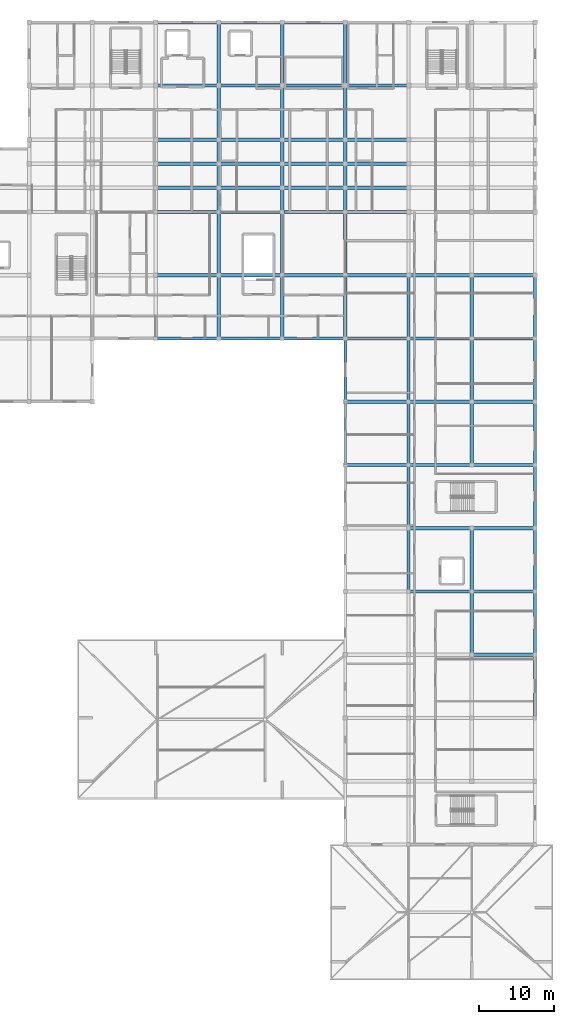
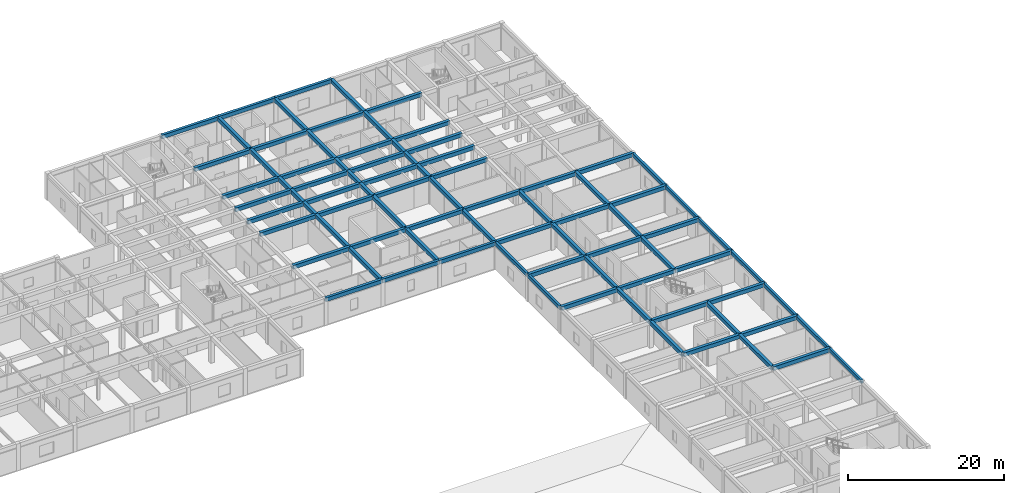
# One storey, part 10 of 42: 86 beams.
"""IFC4 building model written with IfcOpenShell, lengths in metres."""

from ifc_helpers import new_model, si_unit, direction, frame, origin, origin_2d, place, context, subcontext, project, spatial, rectangle, extrude, material, material_profile, profile_set, type_object, element, save


model = new_model("IFC4")

# Units and contexts
model_context = context("Model", 3, precision=1e-05, world=origin(), true_north=direction((0.0, 1.0)))
body_context = subcontext(model_context, "Body", "Model", "MODEL_VIEW")
ifc_project = project(units=[si_unit("LENGTHUNIT", "METRE"), si_unit("AREAUNIT", "SQUARE_METRE"), si_unit("VOLUMEUNIT", "CUBIC_METRE"), si_unit("PLANEANGLEUNIT", "RADIAN"), si_unit("MASSUNIT", "GRAM", prefix="KILO")], contexts=[model_context])

# Site, building, storey
site_placement = place(None, origin())
site = spatial("IfcSite", under=ifc_project, at=site_placement, CompositionType="ELEMENT")
building_placement = place(site_placement, origin())
building = spatial("IfcBuilding", under=site, at=building_placement, Name="Varncliffe General Hospital", CompositionType="ELEMENT")
storey_placement = place(building_placement, frame((0.0, 0.0, 20.39990234375)))
storey = spatial("IfcBuildingStorey", under=building, at=storey_placement, Name="L04", CompositionType="ELEMENT", Elevation=20.39990234375)

# Beams
ifc_material = material(Name="Concrete C35/45 (CSA A23.1 35 MPa)", Category="concrete")
ifc_material_profile_1 = material_profile(ifc_material, rectangle(XDim=0.449951171875, YDim=0.60009765625, at=origin_2d()), Name="RC 450x600")
ifc_profile_set_1 = profile_set([ifc_material_profile_1], Name="Concrete C35/45 (CSA A23.1 35 MPa)")
beam_type_1 = type_object("IfcBeamType", Name="Beam B47 (Int RC 450x600)", PredefinedType="BEAM", material=ifc_profile_set_1)
for number, where, z_axis, x_axis, name in (
    (1, (168.0, 40.800048828125, 3.900146484375), (1.0, 0.0, 0.0), (0.0, 1.0, 0.0), "L04 Primary Beam B47-12"),
    (2, (159.60009765625, 49.199951171875, 3.900146484375), (1.0, 0.0, 0.0), (0.0, 1.0, 0.0), "L04 Primary Beam B47-14"),
    (3, (168.0, 49.199951171875, 3.900146484375), (1.0, 0.0, 0.0), (0.0, 1.0, 0.0), "L04 Primary Beam B47-15"),
    (4, (159.60009765625, 57.60009765625, 3.900146484375), (1.0, 0.0, 0.0), (0.0, 1.0, 0.0), "L04 Primary Beam B47-17"),
    (5, (168.0, 57.60009765625, 3.900146484375), (1.0, 0.0, 0.0), (0.0, 1.0, 0.0), "L04 Primary Beam B47-18"),
):
    element("IfcBeam", number, at=place(storey_placement, frame(where, z_axis=z_axis, x_axis=x_axis)), inside=storey, type_object=beam_type_1, Name=name, PredefinedType="BEAM", context=body_context, shape_type="SweptSolid", body=[
        extrude(rectangle(XDim=0.449951171875, YDim=0.60009765625, at=origin_2d()), origin(), (0.0, 0.0, 1.0), 8.39990234375),
    ])
beam_1_placement = place(storey_placement, frame((151.199951171875, 66.0, 3.900146484375), z_axis=(1.0, 0.0, 0.0), x_axis=(0.0, 1.0, 0.0)))
element("IfcBeam", 6, at=beam_1_placement, inside=storey, type_object=beam_type_1, Name="L04 Primary Beam B47-19", PredefinedType="BEAM", context=body_context, shape_type="SweptSolid", body=[
    extrude(rectangle(XDim=0.449951171875, YDim=0.60009765625, at=origin_2d()), origin(), (0.0, 0.0, 1.0), 8.400146484375),
])
for number, where, z_axis, x_axis, name in (
    (7, (159.60009765625, 66.0, 3.900146484375), (1.0, 0.0, 0.0), (0.0, 1.0, 0.0), "L04 Primary Beam B47-20"),
    (8, (168.0, 66.0, 3.900146484375), (1.0, 0.0, 0.0), (0.0, 1.0, 0.0), "L04 Primary Beam B47-21"),
):
    element("IfcBeam", number, at=place(storey_placement, frame(where, z_axis=z_axis, x_axis=x_axis)), inside=storey, type_object=beam_type_1, Name=name, PredefinedType="BEAM", context=body_context, shape_type="SweptSolid", body=[
        extrude(rectangle(XDim=0.449951171875, YDim=0.60009765625, at=origin_2d()), origin(), (0.0, 0.0, 1.0), 8.39990234375),
    ])
beam_2_placement = place(storey_placement, frame((151.199951171875, 74.39990234375, 3.900146484375), z_axis=(1.0, 0.0, 0.0), x_axis=(0.0, 1.0, 0.0)))
element("IfcBeam", 9, at=beam_2_placement, inside=storey, type_object=beam_type_1, Name="L04 Primary Beam B47-29", PredefinedType="BEAM", context=body_context, shape_type="SweptSolid", body=[
    extrude(rectangle(XDim=0.449951171875, YDim=0.60009765625, at=origin_2d()), origin(), (0.0, 0.0, 1.0), 8.400146484375),
])
for number, where, z_axis, x_axis, name in (
    (10, (159.60009765625, 74.39990234375, 3.900146484375), (1.0, 0.0, 0.0), (0.0, 1.0, 0.0), "L04 Primary Beam B47-30"),
    (11, (168.0, 74.39990234375, 3.900146484375), (1.0, 0.0, 0.0), (0.0, 1.0, 0.0), "L04 Primary Beam B47-31"),
):
    element("IfcBeam", number, at=place(storey_placement, frame(where, z_axis=z_axis, x_axis=x_axis)), inside=storey, type_object=beam_type_1, Name=name, PredefinedType="BEAM", context=body_context, shape_type="SweptSolid", body=[
        extrude(rectangle(XDim=0.449951171875, YDim=0.60009765625, at=origin_2d()), origin(), (0.0, 0.0, 1.0), 8.39990234375),
    ])
beam_3_placement = place(storey_placement, frame((151.199951171875, 82.800048828125, 3.900146484375), z_axis=(1.0, 0.0, 0.0), x_axis=(0.0, 1.0, 0.0)))
element("IfcBeam", 12, at=beam_3_placement, inside=storey, type_object=beam_type_1, Name="L04 Primary Beam B47-46", PredefinedType="BEAM", context=body_context, shape_type="SweptSolid", body=[
    extrude(rectangle(XDim=0.449951171875, YDim=0.60009765625, at=origin_2d()), origin(), (0.0, 0.0, 1.0), 8.400146484375),
])
for number, where, z_axis, x_axis, name in (
    (13, (159.60009765625, 82.800048828125, 3.900146484375), (1.0, 0.0, 0.0), (0.0, 1.0, 0.0), "L04 Primary Beam B47-47"),
    (14, (168.0, 82.800048828125, 3.900146484375), (1.0, 0.0, 0.0), (0.0, 1.0, 0.0), "L04 Primary Beam B47-48"),
    (15, (126.0, 91.199951171875, 3.900146484375), (1.0, 0.0, 0.0), (0.0, 1.0, 0.0), "L04 Primary Beam B47-59"),
):
    element("IfcBeam", number, at=place(storey_placement, frame(where, z_axis=z_axis, x_axis=x_axis)), inside=storey, type_object=beam_type_1, Name=name, PredefinedType="BEAM", context=body_context, shape_type="SweptSolid", body=[
        extrude(rectangle(XDim=0.449951171875, YDim=0.60009765625, at=origin_2d()), origin(), (0.0, 0.0, 1.0), 8.39990234375),
    ])
beam_4_placement = place(storey_placement, frame((134.39990234375, 91.199951171875, 3.900146484375), z_axis=(1.0, 0.0, 0.0), x_axis=(0.0, 1.0, 0.0)))
element("IfcBeam", 16, at=beam_4_placement, inside=storey, type_object=beam_type_1, Name="L04 Primary Beam B47-60", PredefinedType="BEAM", context=body_context, shape_type="SweptSolid", body=[
    extrude(rectangle(XDim=0.449951171875, YDim=0.60009765625, at=origin_2d()), origin(), (0.0, 0.0, 1.0), 8.400146484375),
])
beam_5_placement = place(storey_placement, frame((142.800048828125, 91.199951171875, 3.900146484375), z_axis=(1.0, 0.0, 0.0), x_axis=(0.0, 1.0, 0.0)))
element("IfcBeam", 17, at=beam_5_placement, inside=storey, type_object=beam_type_1, Name="L04 Primary Beam B47-61", PredefinedType="BEAM", context=body_context, shape_type="SweptSolid", body=[
    extrude(rectangle(XDim=0.449951171875, YDim=0.60009765625, at=origin_2d()), origin(), (0.0, 0.0, 1.0), 8.39990234375),
])
beam_6_placement = place(storey_placement, frame((151.199951171875, 91.199951171875, 3.900146484375), z_axis=(1.0, 0.0, 0.0), x_axis=(0.0, 1.0, 0.0)))
element("IfcBeam", 18, at=beam_6_placement, inside=storey, type_object=beam_type_1, Name="L04 Primary Beam B47-62", PredefinedType="BEAM", context=body_context, shape_type="SweptSolid", body=[
    extrude(rectangle(XDim=0.449951171875, YDim=0.60009765625, at=origin_2d()), origin(), (0.0, 0.0, 1.0), 8.400146484375),
])
for number, where, z_axis, x_axis, name in (
    (19, (159.60009765625, 91.199951171875, 3.900146484375), (1.0, 0.0, 0.0), (0.0, 1.0, 0.0), "L04 Primary Beam B47-63"),
    (20, (168.0, 91.199951171875, 3.900146484375), (1.0, 0.0, 0.0), (0.0, 1.0, 0.0), "L04 Primary Beam B47-64"),
    (21, (126.0, 99.60009765625, 3.900146484375), (1.0, 0.0, 0.0), (0.0, 1.0, 0.0), "L04 Primary Beam B47-80"),
):
    element("IfcBeam", number, at=place(storey_placement, frame(where, z_axis=z_axis, x_axis=x_axis)), inside=storey, type_object=beam_type_1, Name=name, PredefinedType="BEAM", context=body_context, shape_type="SweptSolid", body=[
        extrude(rectangle(XDim=0.449951171875, YDim=0.60009765625, at=origin_2d()), origin(), (0.0, 0.0, 1.0), 8.39990234375),
    ])
beam_7_placement = place(storey_placement, frame((134.39990234375, 99.60009765625, 3.900146484375), z_axis=(1.0, 0.0, 0.0), x_axis=(0.0, 1.0, 0.0)))
element("IfcBeam", 22, at=beam_7_placement, inside=storey, type_object=beam_type_1, Name="L04 Primary Beam B47-81", PredefinedType="BEAM", context=body_context, shape_type="SweptSolid", body=[
    extrude(rectangle(XDim=0.449951171875, YDim=0.60009765625, at=origin_2d()), origin(), (0.0, 0.0, 1.0), 8.400146484375),
])
beam_8_placement = place(storey_placement, frame((142.800048828125, 99.60009765625, 3.900146484375), z_axis=(1.0, 0.0, 0.0), x_axis=(0.0, 1.0, 0.0)))
element("IfcBeam", 23, at=beam_8_placement, inside=storey, type_object=beam_type_1, Name="L04 Primary Beam B47-82", PredefinedType="BEAM", context=body_context, shape_type="SweptSolid", body=[
    extrude(rectangle(XDim=0.449951171875, YDim=0.60009765625, at=origin_2d()), origin(), (0.0, 0.0, 1.0), 8.39990234375),
])
beam_9_placement = place(storey_placement, frame((151.199951171875, 99.60009765625, 3.900146484375), z_axis=(1.0, 0.0, 0.0), x_axis=(0.0, 1.0, 0.0)))
element("IfcBeam", 24, at=beam_9_placement, inside=storey, type_object=beam_type_1, Name="L04 Primary Beam B47-83", PredefinedType="BEAM", context=body_context, shape_type="SweptSolid", body=[
    extrude(rectangle(XDim=0.449951171875, YDim=0.60009765625, at=origin_2d()), origin(), (0.0, 0.0, 1.0), 8.400146484375),
])
beam_10_placement = place(storey_placement, frame((126.0, 102.800048828125, 3.900146484375), z_axis=(1.0, 0.0, 0.0), x_axis=(0.0, 1.0, 0.0)))
element("IfcBeam", 25, at=beam_10_placement, inside=storey, type_object=beam_type_1, Name="L04 Primary Beam B47-101", PredefinedType="BEAM", context=body_context, shape_type="SweptSolid", body=[
    extrude(rectangle(XDim=0.449951171875, YDim=0.60009765625, at=origin_2d()), origin(), (0.0, 0.0, 1.0), 8.39990234375),
])
beam_11_placement = place(storey_placement, frame((134.39990234375, 102.800048828125, 3.900146484375), z_axis=(1.0, 0.0, 0.0), x_axis=(0.0, 1.0, 0.0)))
element("IfcBeam", 26, at=beam_11_placement, inside=storey, type_object=beam_type_1, Name="L04 Primary Beam B47-102", PredefinedType="BEAM", context=body_context, shape_type="SweptSolid", body=[
    extrude(rectangle(XDim=0.449951171875, YDim=0.60009765625, at=origin_2d()), origin(), (0.0, 0.0, 1.0), 8.400146484375),
])
beam_12_placement = place(storey_placement, frame((142.800048828125, 102.800048828125, 3.900146484375), z_axis=(1.0, 0.0, 0.0), x_axis=(0.0, 1.0, 0.0)))
element("IfcBeam", 27, at=beam_12_placement, inside=storey, type_object=beam_type_1, Name="L04 Primary Beam B47-103", PredefinedType="BEAM", context=body_context, shape_type="SweptSolid", body=[
    extrude(rectangle(XDim=0.449951171875, YDim=0.60009765625, at=origin_2d()), origin(), (0.0, 0.0, 1.0), 8.39990234375),
])
beam_13_placement = place(storey_placement, frame((151.199951171875, 102.800048828125, 3.900146484375), z_axis=(1.0, 0.0, 0.0), x_axis=(0.0, 1.0, 0.0)))
element("IfcBeam", 28, at=beam_13_placement, inside=storey, type_object=beam_type_1, Name="L04 Primary Beam B47-104", PredefinedType="BEAM", context=body_context, shape_type="SweptSolid", body=[
    extrude(rectangle(XDim=0.449951171875, YDim=0.60009765625, at=origin_2d()), origin(), (0.0, 0.0, 1.0), 8.400146484375),
])
beam_14_placement = place(storey_placement, frame((126.0, 106.0, 3.900146484375), z_axis=(1.0, 0.0, 0.0), x_axis=(0.0, 1.0, 0.0)))
element("IfcBeam", 29, at=beam_14_placement, inside=storey, type_object=beam_type_1, Name="L04 Primary Beam B47-117", PredefinedType="BEAM", context=body_context, shape_type="SweptSolid", body=[
    extrude(rectangle(XDim=0.449951171875, YDim=0.60009765625, at=origin_2d()), origin(), (0.0, 0.0, 1.0), 8.39990234375),
])
beam_15_placement = place(storey_placement, frame((134.39990234375, 106.0, 3.900146484375), z_axis=(1.0, 0.0, 0.0), x_axis=(0.0, 1.0, 0.0)))
element("IfcBeam", 30, at=beam_15_placement, inside=storey, type_object=beam_type_1, Name="L04 Primary Beam B47-118", PredefinedType="BEAM", context=body_context, shape_type="SweptSolid", body=[
    extrude(rectangle(XDim=0.449951171875, YDim=0.60009765625, at=origin_2d()), origin(), (0.0, 0.0, 1.0), 8.400146484375),
])
beam_16_placement = place(storey_placement, frame((142.800048828125, 106.0, 3.900146484375), z_axis=(1.0, 0.0, 0.0), x_axis=(0.0, 1.0, 0.0)))
element("IfcBeam", 31, at=beam_16_placement, inside=storey, type_object=beam_type_1, Name="L04 Primary Beam B47-119", PredefinedType="BEAM", context=body_context, shape_type="SweptSolid", body=[
    extrude(rectangle(XDim=0.449951171875, YDim=0.60009765625, at=origin_2d()), origin(), (0.0, 0.0, 1.0), 8.39990234375),
])
beam_17_placement = place(storey_placement, frame((151.199951171875, 106.0, 3.900146484375), z_axis=(1.0, 0.0, 0.0), x_axis=(0.0, 1.0, 0.0)))
element("IfcBeam", 32, at=beam_17_placement, inside=storey, type_object=beam_type_1, Name="L04 Primary Beam B47-120", PredefinedType="BEAM", context=body_context, shape_type="SweptSolid", body=[
    extrude(rectangle(XDim=0.449951171875, YDim=0.60009765625, at=origin_2d()), origin(), (0.0, 0.0, 1.0), 8.400146484375),
])
beam_18_placement = place(storey_placement, frame((126.0, 109.199951171875, 3.900146484375), z_axis=(1.0, 0.0, 0.0), x_axis=(0.0, 1.0, 0.0)))
element("IfcBeam", 33, at=beam_18_placement, inside=storey, type_object=beam_type_1, Name="L04 Primary Beam B47-136", PredefinedType="BEAM", context=body_context, shape_type="SweptSolid", body=[
    extrude(rectangle(XDim=0.449951171875, YDim=0.60009765625, at=origin_2d()), origin(), (0.0, 0.0, 1.0), 8.39990234375),
])
beam_19_placement = place(storey_placement, frame((134.39990234375, 109.199951171875, 3.900146484375), z_axis=(1.0, 0.0, 0.0), x_axis=(0.0, 1.0, 0.0)))
element("IfcBeam", 34, at=beam_19_placement, inside=storey, type_object=beam_type_1, Name="L04 Primary Beam B47-137", PredefinedType="BEAM", context=body_context, shape_type="SweptSolid", body=[
    extrude(rectangle(XDim=0.449951171875, YDim=0.60009765625, at=origin_2d()), origin(), (0.0, 0.0, 1.0), 8.400146484375),
])
beam_20_placement = place(storey_placement, frame((142.800048828125, 109.199951171875, 3.900146484375), z_axis=(1.0, 0.0, 0.0), x_axis=(0.0, 1.0, 0.0)))
element("IfcBeam", 35, at=beam_20_placement, inside=storey, type_object=beam_type_1, Name="L04 Primary Beam B47-138", PredefinedType="BEAM", context=body_context, shape_type="SweptSolid", body=[
    extrude(rectangle(XDim=0.449951171875, YDim=0.60009765625, at=origin_2d()), origin(), (0.0, 0.0, 1.0), 8.39990234375),
])
beam_21_placement = place(storey_placement, frame((151.199951171875, 109.199951171875, 3.900146484375), z_axis=(1.0, 0.0, 0.0), x_axis=(0.0, 1.0, 0.0)))
element("IfcBeam", 36, at=beam_21_placement, inside=storey, type_object=beam_type_1, Name="L04 Primary Beam B47-139", PredefinedType="BEAM", context=body_context, shape_type="SweptSolid", body=[
    extrude(rectangle(XDim=0.449951171875, YDim=0.60009765625, at=origin_2d()), origin(), (0.0, 0.0, 1.0), 8.400146484375),
])
beam_22_placement = place(storey_placement, frame((126.0, 116.39990234375, 3.900146484375), z_axis=(1.0, 0.0, 0.0), x_axis=(0.0, 1.0, 0.0)))
element("IfcBeam", 37, at=beam_22_placement, inside=storey, type_object=beam_type_1, Name="L04 Primary Beam B47-152", PredefinedType="BEAM", context=body_context, shape_type="SweptSolid", body=[
    extrude(rectangle(XDim=0.449951171875, YDim=0.60009765625, at=origin_2d()), origin(), (0.0, 0.0, 1.0), 8.39990234375),
])
beam_23_placement = place(storey_placement, frame((134.39990234375, 116.39990234375, 3.900146484375), z_axis=(1.0, 0.0, 0.0), x_axis=(0.0, 1.0, 0.0)))
element("IfcBeam", 38, at=beam_23_placement, inside=storey, type_object=beam_type_1, Name="L04 Primary Beam B47-153", PredefinedType="BEAM", context=body_context, shape_type="SweptSolid", body=[
    extrude(rectangle(XDim=0.449951171875, YDim=0.60009765625, at=origin_2d()), origin(), (0.0, 0.0, 1.0), 8.400146484375),
])
beam_24_placement = place(storey_placement, frame((142.800048828125, 116.39990234375, 3.900146484375), z_axis=(1.0, 0.0, 0.0), x_axis=(0.0, 1.0, 0.0)))
element("IfcBeam", 39, at=beam_24_placement, inside=storey, type_object=beam_type_1, Name="L04 Primary Beam B47-154", PredefinedType="BEAM", context=body_context, shape_type="SweptSolid", body=[
    extrude(rectangle(XDim=0.449951171875, YDim=0.60009765625, at=origin_2d()), origin(), (0.0, 0.0, 1.0), 8.39990234375),
])
beam_25_placement = place(storey_placement, frame((151.199951171875, 116.39990234375, 3.900146484375), z_axis=(1.0, 0.0, 0.0), x_axis=(0.0, 1.0, 0.0)))
element("IfcBeam", 40, at=beam_25_placement, inside=storey, type_object=beam_type_1, Name="L04 Primary Beam B47-155", PredefinedType="BEAM", context=body_context, shape_type="SweptSolid", body=[
    extrude(rectangle(XDim=0.449951171875, YDim=0.60009765625, at=origin_2d()), origin(), (0.0, 0.0, 1.0), 8.400146484375),
])
beam_26_placement = place(storey_placement, frame((134.39990234375, 82.800048828125, 3.900146484375), z_axis=(0.0, 1.0, 0.0), x_axis=(-1.0, 0.0, 0.0)))
element("IfcBeam", 41, at=beam_26_placement, inside=storey, type_object=beam_type_1, Name="L04 Primary Beam B47-276", PredefinedType="BEAM", context=body_context, shape_type="SweptSolid", body=[
    extrude(rectangle(XDim=0.449951171875, YDim=0.60009765625, at=origin_2d()), origin(), (0.0, 0.0, 1.0), 8.39990234375),
])
beam_27_placement = place(storey_placement, frame((134.39990234375, 91.199951171875, 3.900146484375), z_axis=(0.0, 1.0, 0.0), x_axis=(-1.0, 0.0, 0.0)))
element("IfcBeam", 42, at=beam_27_placement, inside=storey, type_object=beam_type_1, Name="L04 Primary Beam B47-277", PredefinedType="BEAM", context=body_context, shape_type="SweptSolid", body=[
    extrude(rectangle(XDim=0.449951171875, YDim=0.60009765625, at=origin_2d()), origin(), (0.0, 0.0, 1.0), 8.400146484375),
])
for number, where, z_axis, x_axis, name in (
    (43, (134.39990234375, 99.60009765625, 3.900146484375), (0.0, 1.0, 0.0), (-1.0, 0.0, 0.0), "L04 Primary Beam B47-278"),
    (44, (134.39990234375, 102.800048828125, 3.900146484375), (0.0, 1.0, 0.0), (-1.0, 0.0, 0.0), "L04 Primary Beam B47-279"),
    (45, (134.39990234375, 106.0, 3.900146484375), (0.0, 1.0, 0.0), (-1.0, 0.0, 0.0), "L04 Primary Beam B47-280"),
):
    element("IfcBeam", number, at=place(storey_placement, frame(where, z_axis=z_axis, x_axis=x_axis)), inside=storey, type_object=beam_type_1, Name=name, PredefinedType="BEAM", context=body_context, shape_type="SweptSolid", body=[
        extrude(rectangle(XDim=0.449951171875, YDim=0.60009765625, at=origin_2d()), origin(), (0.0, 0.0, 1.0), 3.199951171875),
    ])
beam_28_placement = place(storey_placement, frame((134.39990234375, 109.199951171875, 3.900146484375), z_axis=(0.0, 1.0, 0.0), x_axis=(-1.0, 0.0, 0.0)))
element("IfcBeam", 46, at=beam_28_placement, inside=storey, type_object=beam_type_1, Name="L04 Primary Beam B47-281", PredefinedType="BEAM", context=body_context, shape_type="SweptSolid", body=[
    extrude(rectangle(XDim=0.449951171875, YDim=0.60009765625, at=origin_2d()), origin(), (0.0, 0.0, 1.0), 7.199951171875),
])
beam_29_placement = place(storey_placement, frame((134.39990234375, 116.39990234375, 3.900146484375), z_axis=(0.0, 1.0, 0.0), x_axis=(-1.0, 0.0, 0.0)))
element("IfcBeam", 47, at=beam_29_placement, inside=storey, type_object=beam_type_1, Name="L04 Primary Beam B47-282", PredefinedType="BEAM", context=body_context, shape_type="SweptSolid", body=[
    extrude(rectangle(XDim=0.449951171875, YDim=0.60009765625, at=origin_2d()), origin(), (0.0, 0.0, 1.0), 8.400146484375),
])
beam_30_placement = place(storey_placement, frame((142.800048828125, 82.800048828125, 3.900146484375), z_axis=(0.0, 1.0, 0.0), x_axis=(-1.0, 0.0, 0.0)))
element("IfcBeam", 48, at=beam_30_placement, inside=storey, type_object=beam_type_1, Name="L04 Primary Beam B47-283", PredefinedType="BEAM", context=body_context, shape_type="SweptSolid", body=[
    extrude(rectangle(XDim=0.449951171875, YDim=0.60009765625, at=origin_2d()), origin(), (0.0, 0.0, 1.0), 8.39990234375),
])
beam_31_placement = place(storey_placement, frame((142.800048828125, 91.199951171875, 3.900146484375), z_axis=(0.0, 1.0, 0.0), x_axis=(-1.0, 0.0, 0.0)))
element("IfcBeam", 49, at=beam_31_placement, inside=storey, type_object=beam_type_1, Name="L04 Primary Beam B47-284", PredefinedType="BEAM", context=body_context, shape_type="SweptSolid", body=[
    extrude(rectangle(XDim=0.449951171875, YDim=0.60009765625, at=origin_2d()), origin(), (0.0, 0.0, 1.0), 8.400146484375),
])
for number, where, z_axis, x_axis, name in (
    (50, (142.800048828125, 99.60009765625, 3.900146484375), (0.0, 1.0, 0.0), (-1.0, 0.0, 0.0), "L04 Primary Beam B47-285"),
    (51, (142.800048828125, 102.800048828125, 3.900146484375), (0.0, 1.0, 0.0), (-1.0, 0.0, 0.0), "L04 Primary Beam B47-286"),
    (52, (142.800048828125, 106.0, 3.900146484375), (0.0, 1.0, 0.0), (-1.0, 0.0, 0.0), "L04 Primary Beam B47-287"),
):
    element("IfcBeam", number, at=place(storey_placement, frame(where, z_axis=z_axis, x_axis=x_axis)), inside=storey, type_object=beam_type_1, Name=name, PredefinedType="BEAM", context=body_context, shape_type="SweptSolid", body=[
        extrude(rectangle(XDim=0.449951171875, YDim=0.60009765625, at=origin_2d()), origin(), (0.0, 0.0, 1.0), 3.199951171875),
    ])
beam_32_placement = place(storey_placement, frame((142.800048828125, 109.199951171875, 3.900146484375), z_axis=(0.0, 1.0, 0.0), x_axis=(-1.0, 0.0, 0.0)))
element("IfcBeam", 53, at=beam_32_placement, inside=storey, type_object=beam_type_1, Name="L04 Primary Beam B47-288", PredefinedType="BEAM", context=body_context, shape_type="SweptSolid", body=[
    extrude(rectangle(XDim=0.449951171875, YDim=0.60009765625, at=origin_2d()), origin(), (0.0, 0.0, 1.0), 7.199951171875),
])
beam_33_placement = place(storey_placement, frame((142.800048828125, 116.39990234375, 3.900146484375), z_axis=(0.0, 1.0, 0.0), x_axis=(-1.0, 0.0, 0.0)))
element("IfcBeam", 54, at=beam_33_placement, inside=storey, type_object=beam_type_1, Name="L04 Primary Beam B47-289", PredefinedType="BEAM", context=body_context, shape_type="SweptSolid", body=[
    extrude(rectangle(XDim=0.449951171875, YDim=0.60009765625, at=origin_2d()), origin(), (0.0, 0.0, 1.0), 8.400146484375),
])
beam_34_placement = place(storey_placement, frame((151.199951171875, 82.800048828125, 3.900146484375), z_axis=(0.0, 1.0, 0.0), x_axis=(-1.0, 0.0, 0.0)))
element("IfcBeam", 55, at=beam_34_placement, inside=storey, type_object=beam_type_1, Name="L04 Primary Beam B47-298", PredefinedType="BEAM", context=body_context, shape_type="SweptSolid", body=[
    extrude(rectangle(XDim=0.449951171875, YDim=0.60009765625, at=origin_2d()), origin(), (0.0, 0.0, 1.0), 8.39990234375),
])
beam_35_placement = place(storey_placement, frame((151.199951171875, 91.199951171875, 3.900146484375), z_axis=(0.0, 1.0, 0.0), x_axis=(-1.0, 0.0, 0.0)))
element("IfcBeam", 56, at=beam_35_placement, inside=storey, type_object=beam_type_1, Name="L04 Primary Beam B47-299", PredefinedType="BEAM", context=body_context, shape_type="SweptSolid", body=[
    extrude(rectangle(XDim=0.449951171875, YDim=0.60009765625, at=origin_2d()), origin(), (0.0, 0.0, 1.0), 8.400146484375),
])
for number, where, z_axis, x_axis, name in (
    (57, (151.199951171875, 99.60009765625, 3.900146484375), (0.0, 1.0, 0.0), (-1.0, 0.0, 0.0), "L04 Primary Beam B47-300"),
    (58, (151.199951171875, 102.800048828125, 3.900146484375), (0.0, 1.0, 0.0), (-1.0, 0.0, 0.0), "L04 Primary Beam B47-301"),
    (59, (151.199951171875, 106.0, 3.900146484375), (0.0, 1.0, 0.0), (-1.0, 0.0, 0.0), "L04 Primary Beam B47-302"),
):
    element("IfcBeam", number, at=place(storey_placement, frame(where, z_axis=z_axis, x_axis=x_axis)), inside=storey, type_object=beam_type_1, Name=name, PredefinedType="BEAM", context=body_context, shape_type="SweptSolid", body=[
        extrude(rectangle(XDim=0.449951171875, YDim=0.60009765625, at=origin_2d()), origin(), (0.0, 0.0, 1.0), 3.199951171875),
    ])
beam_36_placement = place(storey_placement, frame((151.199951171875, 109.199951171875, 3.900146484375), z_axis=(0.0, 1.0, 0.0), x_axis=(-1.0, 0.0, 0.0)))
element("IfcBeam", 60, at=beam_36_placement, inside=storey, type_object=beam_type_1, Name="L04 Primary Beam B47-303", PredefinedType="BEAM", context=body_context, shape_type="SweptSolid", body=[
    extrude(rectangle(XDim=0.449951171875, YDim=0.60009765625, at=origin_2d()), origin(), (0.0, 0.0, 1.0), 7.199951171875),
])
for number, where, z_axis, x_axis, name in (
    (61, (151.199951171875, 116.39990234375, 3.900146484375), (0.0, 1.0, 0.0), (-1.0, 0.0, 0.0), "L04 Primary Beam B47-304"),
    (62, (159.60009765625, 49.199951171875, 3.900146484375), (0.0, 1.0, 0.0), (-1.0, 0.0, 0.0), "L04 Primary Beam B47-309"),
):
    element("IfcBeam", number, at=place(storey_placement, frame(where, z_axis=z_axis, x_axis=x_axis)), inside=storey, type_object=beam_type_1, Name=name, PredefinedType="BEAM", context=body_context, shape_type="SweptSolid", body=[
        extrude(rectangle(XDim=0.449951171875, YDim=0.60009765625, at=origin_2d()), origin(), (0.0, 0.0, 1.0), 8.400146484375),
    ])
for number, where, z_axis, x_axis, name in (
    (63, (159.60009765625, 57.60009765625, 3.900146484375), (0.0, 1.0, 0.0), (-1.0, 0.0, 0.0), "L04 Primary Beam B47-310"),
    (64, (159.60009765625, 66.0, 3.900146484375), (0.0, 1.0, 0.0), (-1.0, 0.0, 0.0), "L04 Primary Beam B47-311"),
):
    element("IfcBeam", number, at=place(storey_placement, frame(where, z_axis=z_axis, x_axis=x_axis)), inside=storey, type_object=beam_type_1, Name=name, PredefinedType="BEAM", context=body_context, shape_type="SweptSolid", body=[
        extrude(rectangle(XDim=0.449951171875, YDim=0.60009765625, at=origin_2d()), origin(), (0.0, 0.0, 1.0), 8.39990234375),
    ])
beam_37_placement = place(storey_placement, frame((159.60009765625, 74.39990234375, 3.900146484375), z_axis=(0.0, 1.0, 0.0), x_axis=(-1.0, 0.0, 0.0)))
element("IfcBeam", 65, at=beam_37_placement, inside=storey, type_object=beam_type_1, Name="L04 Primary Beam B47-312", PredefinedType="BEAM", context=body_context, shape_type="SweptSolid", body=[
    extrude(rectangle(XDim=0.449951171875, YDim=0.60009765625, at=origin_2d()), origin(), (0.0, 0.0, 1.0), 8.400146484375),
])
for number, where, z_axis, x_axis, name in (
    (66, (159.60009765625, 82.800048828125, 3.900146484375), (0.0, 1.0, 0.0), (-1.0, 0.0, 0.0), "L04 Primary Beam B47-313"),
    (67, (168.0, 40.800048828125, 3.900146484375), (0.0, 1.0, 0.0), (-1.0, 0.0, 0.0), "L04 Primary Beam B47-322"),
):
    element("IfcBeam", number, at=place(storey_placement, frame(where, z_axis=z_axis, x_axis=x_axis)), inside=storey, type_object=beam_type_1, Name=name, PredefinedType="BEAM", context=body_context, shape_type="SweptSolid", body=[
        extrude(rectangle(XDim=0.449951171875, YDim=0.60009765625, at=origin_2d()), origin(), (0.0, 0.0, 1.0), 8.39990234375),
    ])
beam_38_placement = place(storey_placement, frame((168.0, 49.199951171875, 3.900146484375), z_axis=(0.0, 1.0, 0.0), x_axis=(-1.0, 0.0, 0.0)))
element("IfcBeam", 68, at=beam_38_placement, inside=storey, type_object=beam_type_1, Name="L04 Primary Beam B47-323", PredefinedType="BEAM", context=body_context, shape_type="SweptSolid", body=[
    extrude(rectangle(XDim=0.449951171875, YDim=0.60009765625, at=origin_2d()), origin(), (0.0, 0.0, 1.0), 8.400146484375),
])
beam_39_placement = place(storey_placement, frame((168.0, 66.0, 3.900146484375), z_axis=(0.0, 1.0, 0.0), x_axis=(-1.0, 0.0, 0.0)))
element("IfcBeam", 69, at=beam_39_placement, inside=storey, type_object=beam_type_1, Name="L04 Primary Beam B47-324", PredefinedType="BEAM", context=body_context, shape_type="SweptSolid", body=[
    extrude(rectangle(XDim=0.449951171875, YDim=0.60009765625, at=origin_2d()), origin(), (0.0, 0.0, 1.0), 8.39990234375),
])
beam_40_placement = place(storey_placement, frame((168.0, 74.39990234375, 3.900146484375), z_axis=(0.0, 1.0, 0.0), x_axis=(-1.0, 0.0, 0.0)))
element("IfcBeam", 70, at=beam_40_placement, inside=storey, type_object=beam_type_1, Name="L04 Primary Beam B47-325", PredefinedType="BEAM", context=body_context, shape_type="SweptSolid", body=[
    extrude(rectangle(XDim=0.449951171875, YDim=0.60009765625, at=origin_2d()), origin(), (0.0, 0.0, 1.0), 8.400146484375),
])
beam_41_placement = place(storey_placement, frame((168.0, 82.800048828125, 3.900146484375), z_axis=(0.0, 1.0, 0.0), x_axis=(-1.0, 0.0, 0.0)))
element("IfcBeam", 71, at=beam_41_placement, inside=storey, type_object=beam_type_1, Name="L04 Primary Beam B47-326", PredefinedType="BEAM", context=body_context, shape_type="SweptSolid", body=[
    extrude(rectangle(XDim=0.449951171875, YDim=0.60009765625, at=origin_2d()), origin(), (0.0, 0.0, 1.0), 8.39990234375),
])
ifc_material_profile_2 = material_profile(ifc_material, rectangle(XDim=0.35009765625, YDim=0.550048828125, at=origin_2d()), Name="RC 350x550")
ifc_profile_set_2 = profile_set([ifc_material_profile_2], Name="Concrete C35/45 (CSA A23.1 35 MPa)")
beam_type_2 = type_object("IfcBeamType", Name="Spandrel SP20 (Ext RC 350x550)", PredefinedType="SPANDREL", material=ifc_profile_set_2)
beam_42_placement = place(storey_placement, frame((151.199951171875, 66.0, 3.925048828125), z_axis=(0.0, 1.0, 0.0), x_axis=(-1.0, 0.0, 0.0)))
element("IfcBeam", 72, at=beam_42_placement, inside=storey, type_object=beam_type_2, Name="L04 Spandrel Beam SP20-296", PredefinedType="SPANDREL", context=body_context, shape_type="SweptSolid", body=[
    extrude(rectangle(XDim=0.35009765625, YDim=0.550048828125, at=origin_2d()), origin(), (0.0, 0.0, 1.0), 8.39990234375),
])
for number, where, z_axis, x_axis, name in (
    (73, (151.199951171875, 74.39990234375, 3.925048828125), (0.0, 1.0, 0.0), (-1.0, 0.0, 0.0), "L04 Spandrel Beam SP20-297"),
    (74, (176.39990234375, 32.39990234375, 3.925048828125), (0.0, 1.0, 0.0), (-1.0, 0.0, 0.0), "L04 Spandrel Beam SP20-335"),
):
    element("IfcBeam", number, at=place(storey_placement, frame(where, z_axis=z_axis, x_axis=x_axis)), inside=storey, type_object=beam_type_2, Name=name, PredefinedType="SPANDREL", context=body_context, shape_type="SweptSolid", body=[
        extrude(rectangle(XDim=0.35009765625, YDim=0.550048828125, at=origin_2d()), origin(), (0.0, 0.0, 1.0), 8.400146484375),
    ])
beam_43_placement = place(storey_placement, frame((176.39990234375, 40.800048828125, 3.925048828125), z_axis=(0.0, 1.0, 0.0), x_axis=(-1.0, 0.0, 0.0)))
element("IfcBeam", 75, at=beam_43_placement, inside=storey, type_object=beam_type_2, Name="L04 Spandrel Beam SP20-336", PredefinedType="SPANDREL", context=body_context, shape_type="SweptSolid", body=[
    extrude(rectangle(XDim=0.35009765625, YDim=0.550048828125, at=origin_2d()), origin(), (0.0, 0.0, 1.0), 8.39990234375),
])
beam_44_placement = place(storey_placement, frame((176.39990234375, 49.199951171875, 3.925048828125), z_axis=(0.0, 1.0, 0.0), x_axis=(-1.0, 0.0, 0.0)))
element("IfcBeam", 76, at=beam_44_placement, inside=storey, type_object=beam_type_2, Name="L04 Spandrel Beam SP20-337", PredefinedType="SPANDREL", context=body_context, shape_type="SweptSolid", body=[
    extrude(rectangle(XDim=0.35009765625, YDim=0.550048828125, at=origin_2d()), origin(), (0.0, 0.0, 1.0), 8.400146484375),
])
for number, where, z_axis, x_axis, name in (
    (77, (176.39990234375, 57.60009765625, 3.925048828125), (0.0, 1.0, 0.0), (-1.0, 0.0, 0.0), "L04 Spandrel Beam SP20-338"),
    (78, (176.39990234375, 66.0, 3.925048828125), (0.0, 1.0, 0.0), (-1.0, 0.0, 0.0), "L04 Spandrel Beam SP20-339"),
):
    element("IfcBeam", number, at=place(storey_placement, frame(where, z_axis=z_axis, x_axis=x_axis)), inside=storey, type_object=beam_type_2, Name=name, PredefinedType="SPANDREL", context=body_context, shape_type="SweptSolid", body=[
        extrude(rectangle(XDim=0.35009765625, YDim=0.550048828125, at=origin_2d()), origin(), (0.0, 0.0, 1.0), 8.39990234375),
    ])
beam_45_placement = place(storey_placement, frame((176.39990234375, 74.39990234375, 3.925048828125), z_axis=(0.0, 1.0, 0.0), x_axis=(-1.0, 0.0, 0.0)))
element("IfcBeam", 79, at=beam_45_placement, inside=storey, type_object=beam_type_2, Name="L04 Spandrel Beam SP20-340", PredefinedType="SPANDREL", context=body_context, shape_type="SweptSolid", body=[
    extrude(rectangle(XDim=0.35009765625, YDim=0.550048828125, at=origin_2d()), origin(), (0.0, 0.0, 1.0), 8.400146484375),
])
beam_46_placement = place(storey_placement, frame((176.39990234375, 82.800048828125, 3.925048828125), z_axis=(0.0, 1.0, 0.0), x_axis=(-1.0, 0.0, 0.0)))
element("IfcBeam", 80, at=beam_46_placement, inside=storey, type_object=beam_type_2, Name="L04 Spandrel Beam SP20-341", PredefinedType="SPANDREL", context=body_context, shape_type="SweptSolid", body=[
    extrude(rectangle(XDim=0.35009765625, YDim=0.550048828125, at=origin_2d()), origin(), (0.0, 0.0, 1.0), 8.39990234375),
])
ifc_material_profile_3 = material_profile(ifc_material, rectangle(XDim=0.39990234375, YDim=0.60009765625, at=origin_2d()), Name="RC 400x600")
ifc_profile_set_3 = profile_set([ifc_material_profile_3], Name="Concrete C35/45 (CSA A23.1 35 MPa)")
beam_type_3 = type_object("IfcBeamType", Name="Spandrel SP58 (Ext RC 400x600B)", PredefinedType="SPANDREL", material=ifc_profile_set_3)
beam_47_placement = place(storey_placement, frame((126.0, 82.800048828125, 3.900146484375), z_axis=(1.0, 0.0, 0.0), x_axis=(0.0, 1.0, 0.0)))
element("IfcBeam", 81, at=beam_47_placement, inside=storey, type_object=beam_type_3, Name="L04 Spandrel Beam SP58-43", PredefinedType="SPANDREL", context=body_context, shape_type="SweptSolid", body=[
    extrude(rectangle(XDim=0.39990234375, YDim=0.60009765625, at=origin_2d()), origin(), (0.0, 0.0, 1.0), 8.39990234375),
])
beam_48_placement = place(storey_placement, frame((134.39990234375, 82.800048828125, 3.900146484375), z_axis=(1.0, 0.0, 0.0), x_axis=(0.0, 1.0, 0.0)))
element("IfcBeam", 82, at=beam_48_placement, inside=storey, type_object=beam_type_3, Name="L04 Spandrel Beam SP58-44", PredefinedType="SPANDREL", context=body_context, shape_type="SweptSolid", body=[
    extrude(rectangle(XDim=0.39990234375, YDim=0.60009765625, at=origin_2d()), origin(), (0.0, 0.0, 1.0), 8.400146484375),
])
for number, where, z_axis, x_axis, name in (
    (83, (142.800048828125, 82.800048828125, 3.900146484375), (1.0, 0.0, 0.0), (0.0, 1.0, 0.0), "L04 Spandrel Beam SP58-45"),
    (84, (126.0, 124.800048828125, 3.900146484375), (1.0, 0.0, 0.0), (0.0, 1.0, 0.0), "L04 Spandrel Beam SP58-168"),
):
    element("IfcBeam", number, at=place(storey_placement, frame(where, z_axis=z_axis, x_axis=x_axis)), inside=storey, type_object=beam_type_3, Name=name, PredefinedType="SPANDREL", context=body_context, shape_type="SweptSolid", body=[
        extrude(rectangle(XDim=0.39990234375, YDim=0.60009765625, at=origin_2d()), origin(), (0.0, 0.0, 1.0), 8.39990234375),
    ])
beam_49_placement = place(storey_placement, frame((134.39990234375, 124.800048828125, 3.900146484375), z_axis=(1.0, 0.0, 0.0), x_axis=(0.0, 1.0, 0.0)))
element("IfcBeam", 85, at=beam_49_placement, inside=storey, type_object=beam_type_3, Name="L04 Spandrel Beam SP58-169", PredefinedType="SPANDREL", context=body_context, shape_type="SweptSolid", body=[
    extrude(rectangle(XDim=0.39990234375, YDim=0.60009765625, at=origin_2d()), origin(), (0.0, 0.0, 1.0), 8.400146484375),
])
beam_50_placement = place(storey_placement, frame((142.800048828125, 124.800048828125, 3.900146484375), z_axis=(1.0, 0.0, 0.0), x_axis=(0.0, 1.0, 0.0)))
element("IfcBeam", 86, at=beam_50_placement, inside=storey, type_object=beam_type_3, Name="L04 Spandrel Beam SP58-170", PredefinedType="SPANDREL", context=body_context, shape_type="SweptSolid", body=[
    extrude(rectangle(XDim=0.39990234375, YDim=0.60009765625, at=origin_2d()), origin(), (0.0, 0.0, 1.0), 8.39990234375),
])

save(model, "model.ifc")
